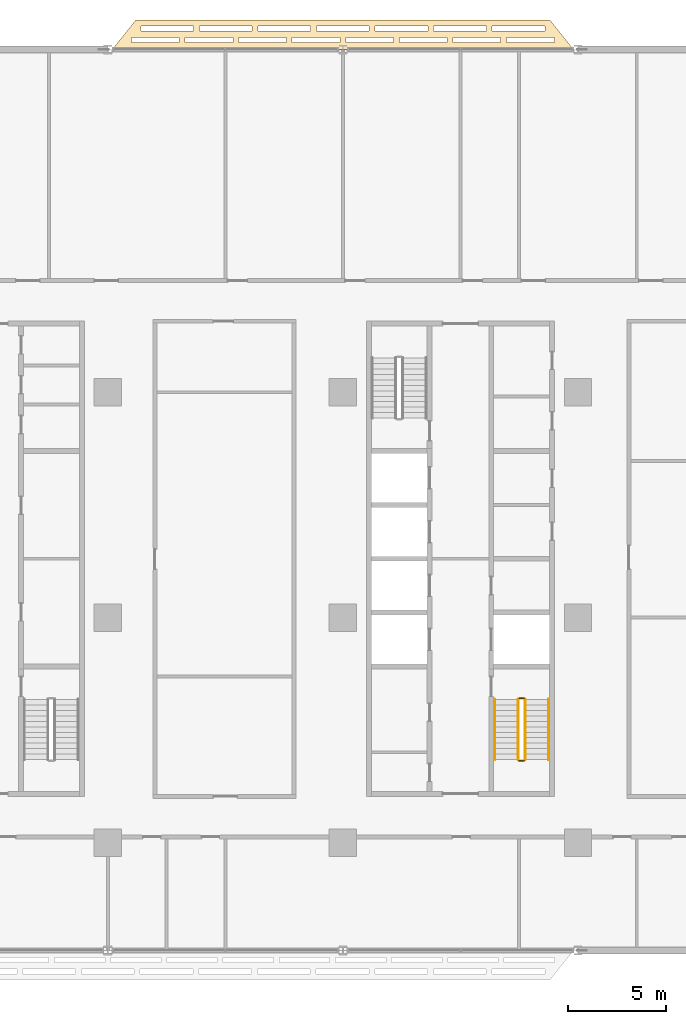
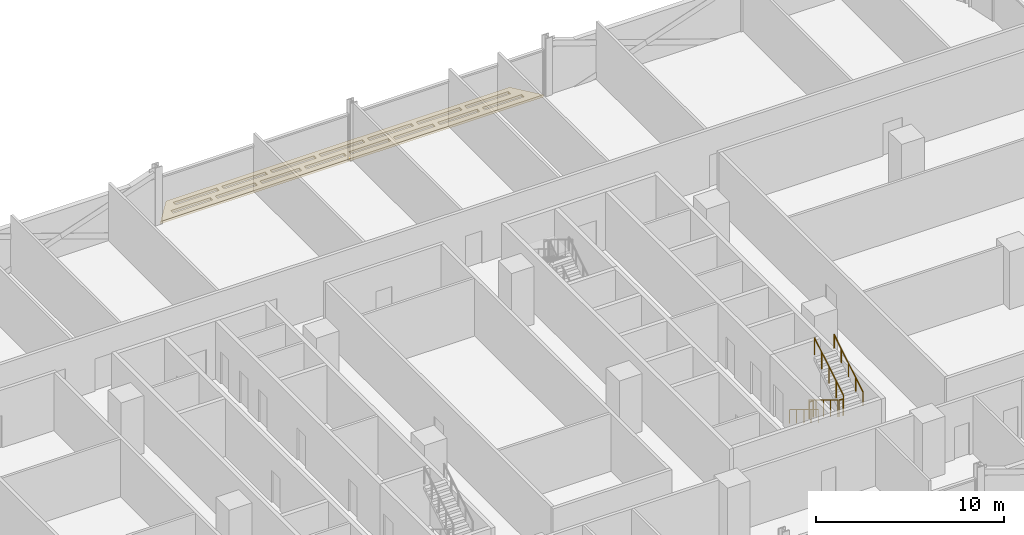
# One storey, part 28 of 29: 6 railings, 1 covering.
"""IFC4 building model written with IfcOpenShell, lengths in metres."""

from ifc_helpers import new_model, si_unit, direction, frame, origin, origin_2d, place, context, subcontext, project, spatial, polyline, circle, outline, extrude, material, layer, layer_set, type_object, element, save


model = new_model("IFC4")

# Units and contexts
model_context = context("Model", 3, precision=1e-05, world=origin(), true_north=direction((0.0, 1.0)))
body_context = subcontext(model_context, "Body", "Model", "MODEL_VIEW")
ifc_project = project(units=[si_unit("LENGTHUNIT", "METRE"), si_unit("AREAUNIT", "SQUARE_METRE"), si_unit("VOLUMEUNIT", "CUBIC_METRE"), si_unit("PLANEANGLEUNIT", "RADIAN"), si_unit("MASSUNIT", "GRAM", prefix="KILO")], contexts=[model_context])

# Site, building, storey
site_placement = place(None, origin())
site = spatial("IfcSite", under=ifc_project, at=site_placement, CompositionType="ELEMENT")
building_placement = place(site_placement, origin())
building = spatial("IfcBuilding", under=site, at=building_placement, Name="Mahtab Terrace Research Tower", CompositionType="ELEMENT")
storey_placement = place(building_placement, frame((0.0, 0.0, 105.300048828125)))
storey = spatial("IfcBuildingStorey", under=building, at=storey_placement, Name="L24", CompositionType="ELEMENT", Elevation=105.300048828125)

# Covering
ifc_material_1 = material(Name="Black anodised aluminium", Category="aluminium")
ifc_layer = layer(ifc_material_1, 0.14990234375)
ifc_layer_set = layer_set([ifc_layer], Name="Horizontal sunshade band")
covering_type = type_object("IfcCoveringType", Name="Horizontal sunshade band", PredefinedType="CLADDING", material=ifc_layer_set)
covering_placement = place(storey_placement, frame((0.0, 0.0, -0.150146484375)))
element("IfcCovering", 1, at=covering_placement, inside=storey, type_object=covering_type, Name="Sunshade band L24 5", PredefinedType="CLADDING", context=body_context, shape_type="SweptSolid", body=[
    extrude(outline(polyline([(29.77197265625, 29.0), (6.22802734375, 29.0), (7.427978515625, 30.5), (28.572021484375, 30.5), (29.77197265625, 29.0)]), holes=[polyline([(28.7919921875, 29.35009765625), (26.35595703125, 29.35009765625), (26.35595703125, 29.60009765625), (28.7919921875, 29.60009765625), (28.7919921875, 29.35009765625)]), polyline([(26.055908203125, 29.35009765625), (23.62109375, 29.35009765625), (23.62109375, 29.60009765625), (26.055908203125, 29.60009765625), (26.055908203125, 29.35009765625)]), polyline([(23.321044921875, 29.35009765625), (20.885009765625, 29.35009765625), (20.885009765625, 29.60009765625), (23.321044921875, 29.60009765625), (23.321044921875, 29.35009765625)]), polyline([(20.5849609375, 29.35009765625), (18.14990234375, 29.35009765625), (18.14990234375, 29.60009765625), (20.5849609375, 29.60009765625), (20.5849609375, 29.35009765625)]), polyline([(17.85009765625, 29.35009765625), (15.4150390625, 29.35009765625), (15.4150390625, 29.60009765625), (17.85009765625, 29.60009765625), (17.85009765625, 29.35009765625)]), polyline([(15.114013671875, 29.35009765625), (12.678955078125, 29.35009765625), (12.678955078125, 29.60009765625), (15.114013671875, 29.60009765625), (15.114013671875, 29.35009765625)]), polyline([(12.37890625, 29.35009765625), (9.944091796875, 29.35009765625), (9.944091796875, 29.60009765625), (12.37890625, 29.60009765625), (12.37890625, 29.35009765625)]), polyline([(9.64404296875, 29.35009765625), (7.2080078125, 29.35009765625), (7.2080078125, 29.60009765625), (9.64404296875, 29.60009765625), (9.64404296875, 29.35009765625)]), polyline([(28.31201171875, 29.949951171875), (25.623046875, 29.949951171875), (25.623046875, 30.199951171875), (28.31201171875, 30.199951171875), (28.31201171875, 29.949951171875)]), polyline([(25.322998046875, 29.949951171875), (22.634033203125, 29.949951171875), (22.634033203125, 30.199951171875), (25.322998046875, 30.199951171875), (25.322998046875, 29.949951171875)]), polyline([(22.333984375, 29.949951171875), (19.64501953125, 29.949951171875), (19.64501953125, 30.199951171875), (22.333984375, 30.199951171875), (22.333984375, 29.949951171875)]), polyline([(19.344970703125, 29.949951171875), (16.655029296875, 29.949951171875), (16.655029296875, 30.199951171875), (19.344970703125, 30.199951171875), (19.344970703125, 29.949951171875)]), polyline([(16.35498046875, 29.949951171875), (13.666015625, 29.949951171875), (13.666015625, 30.199951171875), (16.35498046875, 30.199951171875), (16.35498046875, 29.949951171875)]), polyline([(13.365966796875, 29.949951171875), (10.677001953125, 29.949951171875), (10.677001953125, 30.199951171875), (13.365966796875, 30.199951171875), (13.365966796875, 29.949951171875)]), polyline([(10.376953125, 29.949951171875), (7.68798828125, 29.949951171875), (7.68798828125, 30.199951171875), (10.376953125, 30.199951171875), (10.376953125, 29.949951171875)])]), origin(), (0.0, 0.0, 1.0), 0.150146484375),
])

# Railings
ifc_material_2 = material(Name="Stainless steel AISI 304", Category="steel")
railing_type_1 = type_object("IfcRailingType", Name="Stair guard 1100", PredefinedType="GUARDRAIL", material=ifc_material_2)
railing_1_placement = place(storey_placement, frame((26.949951171875, -4.175048828125, 0.1708984375)))
element("IfcRailing", 2, at=railing_1_placement, inside=storey, type_object=railing_type_1, Name="L24 ST4 stair guard 1", PredefinedType="GUARDRAIL", context=body_context, shape_type="SweptSolid", body=[
    extrude(circle(Radius=0.02392578125, at=origin_2d()), frame((0.0, 0.0, 1.076171875), z_axis=(0.0, -0.853647949592, 0.520850437417), x_axis=(1.0, 0.0, 0.0)), (0.0, 0.0, 1.0), 3.60791015625),
    extrude(circle(Radius=0.02099609375, at=origin_2d()), origin(), (0.0, 0.0, 1.0), 1.052001953125),
    extrude(circle(Radius=0.02099609375, at=origin_2d()), frame((0.0, -0.77001953125, 0.4697265625)), (0.0, 0.0, 1.0), 1.052001953125),
    extrude(circle(Radius=0.02099609375, at=origin_2d()), frame((0.0, -1.5400390625, 0.939453125)), (0.0, 0.0, 1.0), 1.052001953125),
    extrude(circle(Radius=0.02099609375, at=origin_2d()), frame((0.0, -2.309814453125, 1.409423828125)), (0.0, 0.0, 1.0), 1.052001953125),
    extrude(circle(Radius=0.02099609375, at=origin_2d()), frame((0.0, -3.079833984375, 1.879150390625)), (0.0, 0.0, 1.0), 1.052001953125),
])
railing_2_placement = place(storey_placement, frame((27.0, -7.304931640625, 2.050048828125)))
element("IfcRailing", 3, at=railing_2_placement, inside=storey, type_object=railing_type_1, Name="L24 ST4 stair guard 2", PredefinedType="GUARDRAIL", context=body_context, shape_type="SweptSolid", body=[
    extrude(circle(Radius=0.02392578125, at=origin_2d()), frame((0.0, 0.0, 1.076171875), z_axis=(1.0, 0.0, 0.0), x_axis=(0.0, 1.0, 0.0)), (0.0, 0.0, 1.0), 0.25),
    extrude(circle(Radius=0.02099609375, at=origin_2d()), origin(), (0.0, 0.0, 1.0), 1.052001953125),
    extrude(circle(Radius=0.02099609375, at=origin_2d()), frame((0.25, 0.0, 0.0)), (0.0, 0.0, 1.0), 1.052001953125),
])
railing_3_placement = place(storey_placement, frame((27.300048828125, -7.2548828125, 2.220703125)))
element("IfcRailing", 4, at=railing_3_placement, inside=storey, type_object=railing_type_1, Name="L24 ST4 stair guard 3", PredefinedType="GUARDRAIL", context=body_context, shape_type="SweptSolid", body=[
    extrude(circle(Radius=0.02392578125, at=origin_2d()), frame((0.0, 0.0, 1.076171875), z_axis=(0.0, 0.853647949592, 0.520850437417), x_axis=(-1.0, 0.0, 0.0)), (0.0, 0.0, 1.0), 3.60791015625),
    extrude(circle(Radius=0.02099609375, at=origin_2d()), origin(), (0.0, 0.0, 1.0), 1.052001953125),
    extrude(circle(Radius=0.02099609375, at=origin_2d()), frame((0.0, 0.77001953125, 0.4697265625)), (0.0, 0.0, 1.0), 1.052001953125),
    extrude(circle(Radius=0.02099609375, at=origin_2d()), frame((0.0, 1.5400390625, 0.939453125)), (0.0, 0.0, 1.0), 1.052001953125),
    extrude(circle(Radius=0.02099609375, at=origin_2d()), frame((0.0, 2.309814453125, 1.409423828125)), (0.0, 0.0, 1.0), 1.052001953125),
    extrude(circle(Radius=0.02099609375, at=origin_2d()), frame((0.0, 3.079833984375, 1.879150390625)), (0.0, 0.0, 1.0), 1.052001953125),
])
railing_4_placement = place(storey_placement, frame((27.0, -4.125, 0.0)))
element("IfcRailing", 5, at=railing_4_placement, inside=storey, type_object=railing_type_1, Name="L24 ST4 stair guard 4", PredefinedType="GUARDRAIL", context=body_context, shape_type="SweptSolid", body=[
    extrude(circle(Radius=0.02392578125, at=origin_2d()), frame((0.0, 0.0, 1.076171875), z_axis=(1.0, 0.0, 0.0), x_axis=(0.0, 1.0, 0.0)), (0.0, 0.0, 1.0), 0.25),
    extrude(circle(Radius=0.02099609375, at=origin_2d()), origin(), (0.0, 0.0, 1.0), 1.052001953125),
    extrude(circle(Radius=0.02099609375, at=origin_2d()), frame((0.25, 0.0, 0.0)), (0.0, 0.0, 1.0), 1.052001953125),
])
railing_type_2 = type_object("IfcRailingType", Name="Stair handrail 900", PredefinedType="HANDRAIL", material=ifc_material_2)
railing_5_placement = place(storey_placement, frame((25.75, -4.175048828125, 0.1708984375)))
element("IfcRailing", 6, at=railing_5_placement, inside=storey, type_object=railing_type_2, Name="L24 ST4 stair handrail 1", PredefinedType="HANDRAIL", context=body_context, shape_type="SweptSolid", body=[
    extrude(circle(Radius=0.02392578125, at=origin_2d()), frame((0.0, 0.0, 0.8759765625), z_axis=(0.0, -0.853647949592, 0.520850437417), x_axis=(1.0, 0.0, 0.0)), (0.0, 0.0, 1.0), 3.60791015625),
    extrude(circle(Radius=0.02099609375, at=origin_2d()), origin(), (0.0, 0.0, 1.0), 0.851806640625),
    extrude(circle(Radius=0.02099609375, at=origin_2d()), frame((0.0, -0.77001953125, 0.4697265625)), (0.0, 0.0, 1.0), 0.851806640625),
    extrude(circle(Radius=0.02099609375, at=origin_2d()), frame((0.0, -1.5400390625, 0.939453125)), (0.0, 0.0, 1.0), 0.851806640625),
    extrude(circle(Radius=0.02099609375, at=origin_2d()), frame((0.0, -2.309814453125, 1.409423828125)), (0.0, 0.0, 1.0), 0.851806640625),
    extrude(circle(Radius=0.02099609375, at=origin_2d()), frame((0.0, -3.079833984375, 1.879150390625)), (0.0, 0.0, 1.0), 0.851806640625),
])
railing_6_placement = place(storey_placement, frame((28.5, -7.2548828125, 2.220703125)))
element("IfcRailing", 7, at=railing_6_placement, inside=storey, type_object=railing_type_2, Name="L24 ST4 stair handrail 2", PredefinedType="HANDRAIL", context=body_context, shape_type="SweptSolid", body=[
    extrude(circle(Radius=0.02392578125, at=origin_2d()), frame((0.0, 0.0, 0.8759765625), z_axis=(0.0, 0.853647949592, 0.520850437417), x_axis=(-1.0, 0.0, 0.0)), (0.0, 0.0, 1.0), 3.60791015625),
    extrude(circle(Radius=0.02099609375, at=origin_2d()), origin(), (0.0, 0.0, 1.0), 0.851806640625),
    extrude(circle(Radius=0.02099609375, at=origin_2d()), frame((0.0, 0.77001953125, 0.4697265625)), (0.0, 0.0, 1.0), 0.851806640625),
    extrude(circle(Radius=0.02099609375, at=origin_2d()), frame((0.0, 1.5400390625, 0.939453125)), (0.0, 0.0, 1.0), 0.851806640625),
    extrude(circle(Radius=0.02099609375, at=origin_2d()), frame((0.0, 2.309814453125, 1.409423828125)), (0.0, 0.0, 1.0), 0.851806640625),
    extrude(circle(Radius=0.02099609375, at=origin_2d()), frame((0.0, 3.079833984375, 1.879150390625)), (0.0, 0.0, 1.0), 0.851806640625),
])

save(model, "model.ifc")
